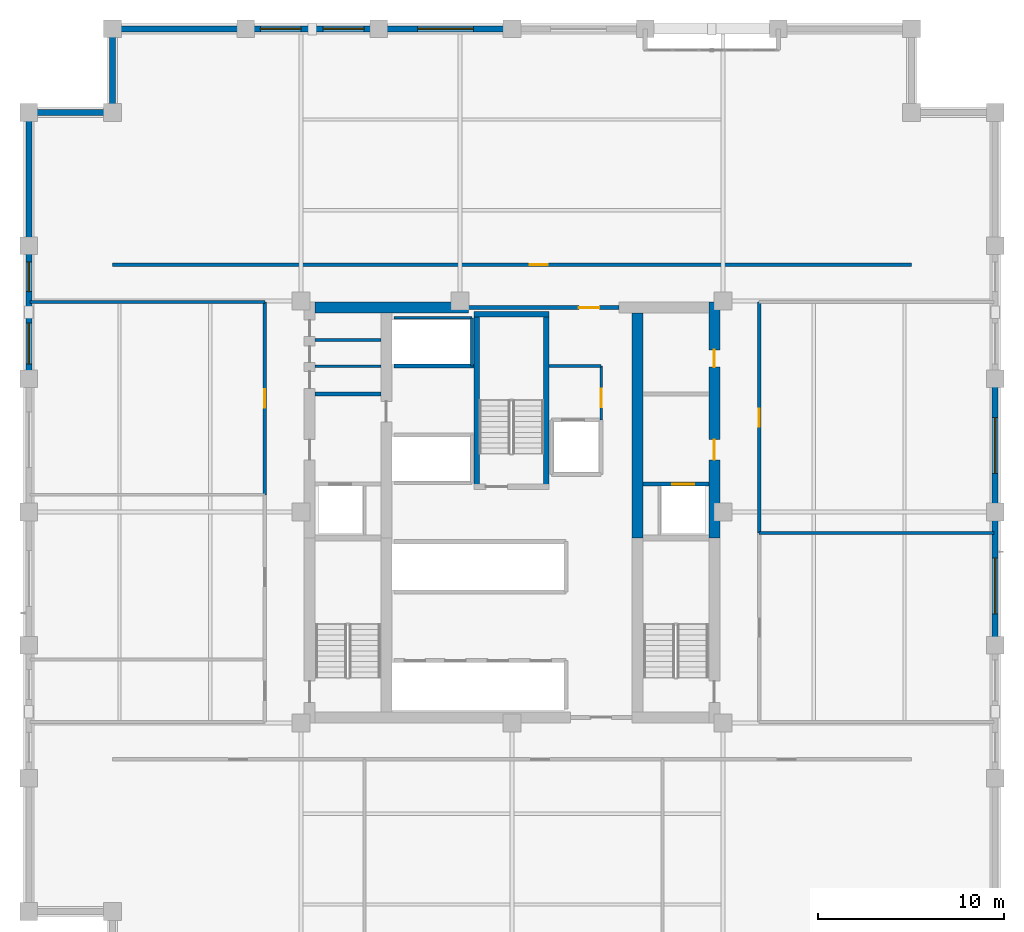
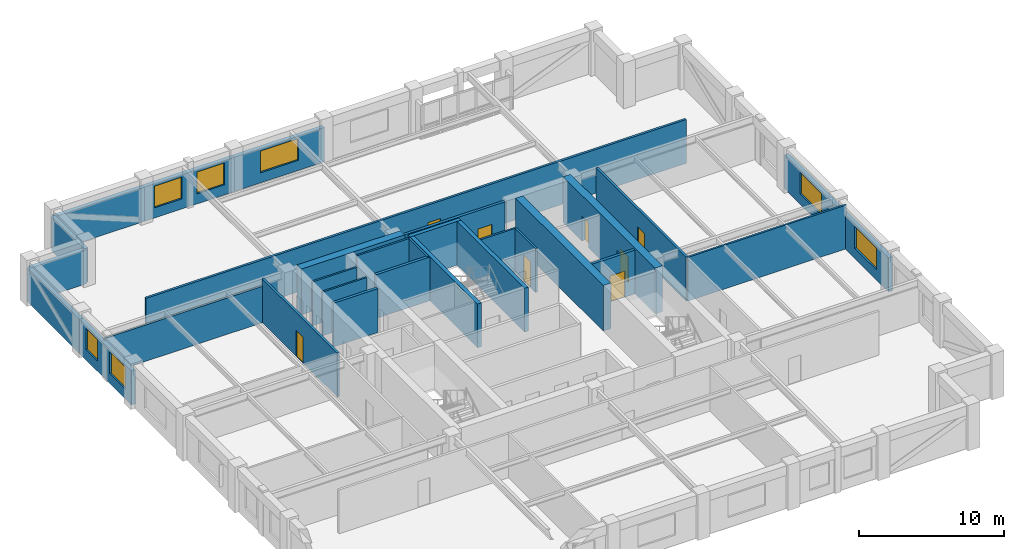
# One storey, part 8 of 11: 30 walls, 8 doors, 7 windows, 15 openings.
"""IFC4 building model written with IfcOpenShell, lengths in metres."""

from ifc_helpers import new_model, si_unit, direction, frame, frame_2d, origin, place, context, subcontext, project, spatial, rectangle, extrude, material, layer, layer_set, type_object, element, fill, save


model = new_model("IFC4")

# Units and contexts
model_context = context("Model", 3, precision=1e-05, world=origin(), true_north=direction((0.0, 1.0)))
body_context = subcontext(model_context, "Body", "Model", "MODEL_VIEW")
ifc_project = project(units=[si_unit("LENGTHUNIT", "METRE"), si_unit("AREAUNIT", "SQUARE_METRE"), si_unit("VOLUMEUNIT", "CUBIC_METRE"), si_unit("PLANEANGLEUNIT", "RADIAN"), si_unit("MASSUNIT", "GRAM", prefix="KILO")], contexts=[model_context])

# Site, building, storey
site_placement = place(None, origin())
site = spatial("IfcSite", under=ifc_project, at=site_placement, CompositionType="ELEMENT")
building_placement = place(site_placement, origin())
building = spatial("IfcBuilding", under=site, at=building_placement, Name="Nhamokura Convention Tower", CompositionType="ELEMENT")
storey_placement = place(building_placement, frame((0.0, 0.0, 141.39990234375)))
storey = spatial("IfcBuildingStorey", under=building, at=storey_placement, Name="L34", CompositionType="ELEMENT", Elevation=141.39990234375)

# Walls
ifc_material_1 = material(Name="Moisture-resistant tile-backer partition", Category="masonry")
ifc_layer_1 = layer(ifc_material_1, 0.139892578125)
ifc_layer_set_1 = layer_set([ifc_layer_1], Name="BathroomWetWall_140")
wall_type_1 = type_object("IfcWallType", Name="BathroomWetWall_140", PredefinedType="STANDARD", material=ifc_layer_set_1)
wall_1_placement = place(storey_placement, frame((21.409912109375, 39.85009765625, 0.0), z_axis=(0.0, 0.0, 1.0), x_axis=(1.0, 0.0, 0.0)))
element("IfcWall", 1, at=wall_1_placement, inside=storey, type_object=wall_type_1, Name="L34 Wall INT-L34-CWNW1", PredefinedType="STANDARD", context=body_context, shape_type="SweptSolid", body=[
    extrude(rectangle(XDim=3.530029296875, YDim=0.139892578125, at=frame_2d((1.76513671875, 0.0))), origin(), (0.0, 0.0, 1.0), 3.68505859375),
])
ifc_material_2 = material(Name="Bronze-pigmented precast concrete C45/55", Category="concrete")
ifc_layer_2 = layer(ifc_material_2, 0.320068359375)
ifc_layer_set_2 = layer_set([ifc_layer_2], Name="BronzePrecastSpandrel_320")
wall_type_2 = type_object("IfcWallType", Name="BronzePrecastSpandrel_320", PredefinedType="USERDEFINED", material=ifc_layer_set_2)
wall_2_placement = place(storey_placement, frame((10.5, 58.0, 0.0), z_axis=(0.0, 0.0, 1.0), x_axis=(1.0, 0.0, 0.0)))
element("IfcWall", 2, at=wall_2_placement, inside=storey, type_object=wall_type_2, Name="L34 Braced-Bay Precast Wall NORTH 0", ObjectType="SPANDREL_WALL", PredefinedType="USERDEFINED", context=body_context, shape_type="SweptSolid", body=[
    extrude(rectangle(XDim=7.166748046875, YDim=0.320068359375, at=frame_2d((3.58349609375, 0.0))), origin(), (0.0, 0.0, 1.0), 2.885009765625),
])

# Wall, openings, windows
wall_3_placement = place(storey_placement, frame((17.666748046875, 58.0, 0.0), z_axis=(0.0, 0.0, 1.0), x_axis=(1.0, 0.0, 0.0)))
wall_3 = element("IfcWall", 3, at=wall_3_placement, inside=storey, type_object=wall_type_2, Name="L34 Masonry-Frame Wall NORTH 1", ObjectType="SPANDREL_WALL", PredefinedType="USERDEFINED", context=body_context, shape_type="SweptSolid", body=[
    extrude(rectangle(XDim=7.16650390625, YDim=0.320068359375, at=frame_2d((3.583251953125, 0.0))), origin(), (0.0, 0.0, 1.0), 2.885009765625),
])
opening_1_placement = place(wall_3_placement, frame((0.791748046875, 0.0, 0.85009765625)))
opening_1 = element("IfcOpeningElement", 4, at=opening_1_placement, cuts=wall_3, Name="Opening W-06", PredefinedType="OPENING", context=body_context, shape_type="SweptSolid", body=[
    extrude(rectangle(XDim=2.199951171875, YDim=1.8349609375, at=frame_2d((1.10009765625, 0.91748046875))), frame((0.0, 0.169921875, 0.0), z_axis=(0.0, -1.0, 0.0), x_axis=(1.0, 0.0, 0.0)), (0.0, 0.0, 1.0), 0.340087890625),
])
opening_2_placement = place(wall_3_placement, frame((4.175048828125, 0.0, 0.85009765625)))
opening_2 = element("IfcOpeningElement", 5, at=opening_2_placement, cuts=wall_3, Name="Opening W-06", PredefinedType="OPENING", context=body_context, shape_type="SweptSolid", body=[
    extrude(rectangle(XDim=2.199951171875, YDim=1.8349609375, at=frame_2d((1.10009765625, 0.91748046875))), frame((0.0, 0.169921875, 0.0), z_axis=(0.0, -1.0, 0.0), x_axis=(1.0, 0.0, 0.0)), (0.0, 0.0, 1.0), 0.340087890625),
])
ifc_material_3 = material(Name="Solar-control bronze low-E double glass", Category="glass")
window_type_1 = type_object("IfcWindowType", Name="OfficeModuleWindow_Z2_2200", PartitioningType="SINGLE_PANEL", PredefinedType="WINDOW", material=ifc_material_3)
window_1_placement = place(opening_1_placement, origin())
window_1 = element("IfcWindow", 6, at=window_1_placement, inside=storey, type_object=window_type_1, Name="L34 Facade Window NORTH 1-1", OverallHeight=1.8349609375, OverallWidth=2.199951171875, PartitioningType="SINGLE_PANEL", PredefinedType="WINDOW", context=body_context, shape_type="SweptSolid", body=[
    extrude(rectangle(XDim=2.199951171875, YDim=1.8349609375, at=frame_2d((1.10009765625, 0.91748046875))), frame((0.0, 0.030029296875, 0.0), z_axis=(0.0, -1.0, 0.0), x_axis=(1.0, 0.0, 0.0)), (0.0, 0.0, 1.0), 0.06005859375),
])
fill(opening_1, window_1)
window_2_placement = place(opening_2_placement, origin())
window_2 = element("IfcWindow", 7, at=window_2_placement, inside=storey, type_object=window_type_1, Name="L34 Facade Window NORTH 1-2", OverallHeight=1.8349609375, OverallWidth=2.199951171875, PartitioningType="SINGLE_PANEL", PredefinedType="WINDOW", context=body_context, shape_type="SweptSolid", body=[
    extrude(rectangle(XDim=2.199951171875, YDim=1.8349609375, at=frame_2d((1.10009765625, 0.91748046875))), frame((0.0, 0.030029296875, 0.0), z_axis=(0.0, -1.0, 0.0), x_axis=(1.0, 0.0, 0.0)), (0.0, 0.0, 1.0), 0.06005859375),
])
fill(opening_2, window_2)

# Wall, opening, window
wall_4_placement = place(storey_placement, frame((24.833251953125, 58.0, 0.0), z_axis=(0.0, 0.0, 1.0), x_axis=(1.0, 0.0, 0.0)))
wall_4 = element("IfcWall", 8, at=wall_4_placement, inside=storey, type_object=wall_type_2, Name="L34 Masonry-Frame Wall NORTH 2", ObjectType="SPANDREL_WALL", PredefinedType="USERDEFINED", context=body_context, shape_type="SweptSolid", body=[
    extrude(rectangle(XDim=7.166748046875, YDim=0.320068359375, at=frame_2d((3.58349609375, 0.0))), origin(), (0.0, 0.0, 1.0), 2.885009765625),
])
opening_3_placement = place(wall_4_placement, frame((2.083251953125, 0.0, 0.85009765625)))
opening_3 = element("IfcOpeningElement", 9, at=opening_3_placement, cuts=wall_4, Name="Opening W-05", PredefinedType="OPENING", context=body_context, shape_type="SweptSolid", body=[
    extrude(rectangle(XDim=3.0, YDim=1.8349609375, at=frame_2d((1.5, 0.91748046875))), frame((0.0, 0.169921875, 0.0), z_axis=(0.0, -1.0, 0.0), x_axis=(1.0, 0.0, 0.0)), (0.0, 0.0, 1.0), 0.340087890625),
])
ifc_material_4 = material(Name="Solar-control bronze low-E double glass", Category="glass")
window_type_2 = type_object("IfcWindowType", Name="OfficeModuleWindow_Z2_3000", PartitioningType="DOUBLE_PANEL_VERTICAL", PredefinedType="WINDOW", material=ifc_material_4)
window_3_placement = place(opening_3_placement, origin())
window_3 = element("IfcWindow", 10, at=window_3_placement, inside=storey, type_object=window_type_2, Name="L34 Facade Window NORTH 2", OverallHeight=1.8349609375, OverallWidth=3.0, PartitioningType="SINGLE_PANEL", PredefinedType="WINDOW", context=body_context, shape_type="SweptSolid", body=[
    extrude(rectangle(XDim=3.0, YDim=1.8349609375, at=frame_2d((1.5, 0.91748046875))), frame((0.0, 0.030029296875, 0.0), z_axis=(0.0, -1.0, 0.0), x_axis=(1.0, 0.0, 0.0)), (0.0, 0.0, 1.0), 0.06005859375),
])
fill(opening_3, window_3)

# Wall, openings, windows
wall_5_placement = place(storey_placement, frame((6.0, 39.166748046875, 0.0), z_axis=(0.0, 0.0, 1.0), x_axis=(0.0, 1.0, 0.0)))
wall_5 = element("IfcWall", 11, at=wall_5_placement, inside=storey, type_object=wall_type_2, Name="L34 Masonry-Frame Wall WEST 4", ObjectType="SPANDREL_WALL", PredefinedType="USERDEFINED", context=body_context, shape_type="SweptSolid", body=[
    extrude(rectangle(XDim=7.16650390625, YDim=0.320068359375, at=frame_2d((3.583251953125, 0.0))), origin(), (0.0, 0.0, 1.0), 2.885009765625),
])
opening_4_placement = place(wall_5_placement, frame((0.791748046875, 0.0, 0.85009765625)))
opening_4 = element("IfcOpeningElement", 12, at=opening_4_placement, cuts=wall_5, Name="Opening W-06", PredefinedType="OPENING", context=body_context, shape_type="SweptSolid", body=[
    extrude(rectangle(XDim=2.199951171875, YDim=1.8349609375, at=frame_2d((1.10009765625, 0.91748046875))), frame((0.0, 0.169921875, 0.0), z_axis=(0.0, -1.0, 0.0), x_axis=(1.0, 0.0, 0.0)), (0.0, 0.0, 1.0), 0.340087890625),
])
opening_5_placement = place(wall_5_placement, frame((4.6875, 0.0, 0.85009765625)))
opening_5 = element("IfcOpeningElement", 13, at=opening_5_placement, cuts=wall_5, Name="Opening W-11", PredefinedType="OPENING", context=body_context, shape_type="SweptSolid", body=[
    extrude(rectangle(XDim=1.60009765625, YDim=1.8349609375, at=frame_2d((0.800048828125, 0.91748046875))), frame((0.0, 0.169921875, 0.0), z_axis=(0.0, -1.0, 0.0), x_axis=(1.0, 0.0, 0.0)), (0.0, 0.0, 1.0), 0.340087890625),
])
ifc_material_5 = material(Name="Solar-control bronze low-E double glass", Category="glass")
window_type_3 = type_object("IfcWindowType", Name="NotchCornerWindow_1600", PartitioningType="SINGLE_PANEL", PredefinedType="WINDOW", material=ifc_material_5)
window_4_placement = place(opening_5_placement, origin())
window_4 = element("IfcWindow", 14, at=window_4_placement, inside=storey, type_object=window_type_3, Name="L34 Facade Window WEST 4-2", OverallHeight=1.8349609375, OverallWidth=1.60009765625, PartitioningType="SINGLE_PANEL", PredefinedType="WINDOW", context=body_context, shape_type="SweptSolid", body=[
    extrude(rectangle(XDim=1.60009765625, YDim=1.8349609375, at=frame_2d((0.800048828125, 0.91748046875))), frame((0.0, 0.030029296875, 0.0), z_axis=(0.0, -1.0, 0.0), x_axis=(1.0, 0.0, 0.0)), (0.0, 0.0, 1.0), 0.06005859375),
])
fill(opening_5, window_4)
window_5_placement = place(opening_4_placement, origin())
window_5 = element("IfcWindow", 15, at=window_5_placement, inside=storey, type_object=window_type_1, Name="L34 Facade Window WEST 4-1", OverallHeight=1.8349609375, OverallWidth=2.199951171875, PartitioningType="SINGLE_PANEL", PredefinedType="WINDOW", context=body_context, shape_type="SweptSolid", body=[
    extrude(rectangle(XDim=2.199951171875, YDim=1.8349609375, at=frame_2d((1.10009765625, 0.91748046875))), frame((0.0, 0.030029296875, 0.0), z_axis=(0.0, -1.0, 0.0), x_axis=(1.0, 0.0, 0.0)), (0.0, 0.0, 1.0), 0.06005859375),
])
fill(opening_4, window_5)

# Wall
wall_6_placement = place(storey_placement, frame((6.0, 46.333251953125, 0.0), z_axis=(0.0, 0.0, 1.0), x_axis=(0.0, 1.0, 0.0)))
element("IfcWall", 16, at=wall_6_placement, inside=storey, type_object=wall_type_2, Name="L34 Braced-Bay Precast Wall WEST 5", ObjectType="SPANDREL_WALL", PredefinedType="USERDEFINED", context=body_context, shape_type="SweptSolid", body=[
    extrude(rectangle(XDim=7.166748046875, YDim=0.320068359375, at=frame_2d((3.58349609375, 0.0))), origin(), (0.0, 0.0, 1.0), 2.885009765625),
])

# Wall, opening, window
wall_7_placement = place(storey_placement, frame((58.0, 32.0, 0.0), z_axis=(0.0, 0.0, 1.0), x_axis=(0.0, -1.0, 0.0)))
wall_7 = element("IfcWall", 17, at=wall_7_placement, inside=storey, type_object=wall_type_2, Name="L34 Masonry-Frame Wall EAST 2", ObjectType="SPANDREL_WALL", PredefinedType="USERDEFINED", context=body_context, shape_type="SweptSolid", body=[
    extrude(rectangle(XDim=7.166748046875, YDim=0.320068359375, at=frame_2d((3.58349609375, 0.0))), origin(), (0.0, 0.0, 1.0), 2.885009765625),
])
opening_6_placement = place(wall_7_placement, frame((2.4833984375, 0.0, 0.85009765625)))
opening_6 = element("IfcOpeningElement", 18, at=opening_6_placement, cuts=wall_7, Name="Opening W-05", PredefinedType="OPENING", context=body_context, shape_type="SweptSolid", body=[
    extrude(rectangle(XDim=3.0, YDim=1.8349609375, at=frame_2d((1.5, 0.91748046875))), frame((0.0, 0.169921875, 0.0), z_axis=(0.0, -1.0, 0.0), x_axis=(1.0, 0.0, 0.0)), (0.0, 0.0, 1.0), 0.340087890625),
])
window_6_placement = place(opening_6_placement, origin())
window_6 = element("IfcWindow", 19, at=window_6_placement, inside=storey, type_object=window_type_2, Name="L34 Facade Window EAST 2-2", OverallHeight=1.8349609375, OverallWidth=3.0, PartitioningType="SINGLE_PANEL", PredefinedType="WINDOW", context=body_context, shape_type="SweptSolid", body=[
    extrude(rectangle(XDim=3.0, YDim=1.8349609375, at=frame_2d((1.5, 0.91748046875))), frame((0.0, 0.030029296875, 0.0), z_axis=(0.0, -1.0, 0.0), x_axis=(1.0, 0.0, 0.0)), (0.0, 0.0, 1.0), 0.06005859375),
])
fill(opening_6, window_6)

wall_8_placement = place(storey_placement, frame((58.0, 39.166748046875, 0.0), z_axis=(0.0, 0.0, 1.0), x_axis=(0.0, -1.0, 0.0)))
wall_8 = element("IfcWall", 20, at=wall_8_placement, inside=storey, type_object=wall_type_2, Name="L34 Masonry-Frame Wall EAST 3", ObjectType="SPANDREL_WALL", PredefinedType="USERDEFINED", context=body_context, shape_type="SweptSolid", body=[
    extrude(rectangle(XDim=7.166748046875, YDim=0.320068359375, at=frame_2d((3.58349609375, 0.0))), origin(), (0.0, 0.0, 1.0), 2.885009765625),
])
opening_7_placement = place(wall_8_placement, frame((2.083251953125, 0.0, 0.85009765625)))
opening_7 = element("IfcOpeningElement", 21, at=opening_7_placement, cuts=wall_8, Name="Opening W-05", PredefinedType="OPENING", context=body_context, shape_type="SweptSolid", body=[
    extrude(rectangle(XDim=3.0, YDim=1.8349609375, at=frame_2d((1.5, 0.91748046875))), frame((0.0, 0.169921875, 0.0), z_axis=(0.0, -1.0, 0.0), x_axis=(1.0, 0.0, 0.0)), (0.0, 0.0, 1.0), 0.340087890625),
])
window_7_placement = place(opening_7_placement, origin())
window_7 = element("IfcWindow", 22, at=window_7_placement, inside=storey, type_object=window_type_2, Name="L34 Facade Window EAST 3", OverallHeight=1.8349609375, OverallWidth=3.0, PartitioningType="SINGLE_PANEL", PredefinedType="WINDOW", context=body_context, shape_type="SweptSolid", body=[
    extrude(rectangle(XDim=3.0, YDim=1.8349609375, at=frame_2d((1.5, 0.91748046875))), frame((0.0, 0.030029296875, 0.0), z_axis=(0.0, -1.0, 0.0), x_axis=(1.0, 0.0, 0.0)), (0.0, 0.0, 1.0), 0.06005859375),
])
fill(opening_7, window_7)

# Walls
for number, where, z_axis, x_axis, name in (
    (23, (10.5, 53.5, 0.0), (0.0, 0.0, 1.0), (0.0, 1.0, 0.0), "L34 Notched Corner Wall NW1"),
    (24, (6.0, 53.5, 0.0), (0.0, 0.0, 1.0), (1.0, 0.0, 0.0), "L34 Notched Corner Wall NW2"),
):
    element("IfcWall", number, at=place(storey_placement, frame(where, z_axis=z_axis, x_axis=x_axis)), inside=storey, type_object=wall_type_2, Name=name, ObjectType="SPANDREL_WALL", PredefinedType="USERDEFINED", context=body_context, shape_type="SweptSolid", body=[
        extrude(rectangle(XDim=4.5, YDim=0.320068359375, at=frame_2d((2.25, 0.0))), origin(), (0.0, 0.0, 1.0), 2.885009765625),
    ])

# Wall, openings, doors
ifc_material_6 = material(Name="Concrete C60/75", Category="concrete")
ifc_layer_3 = layer(ifc_material_6, 0.60009765625)
ifc_layer_set_3 = layer_set([ifc_layer_3], Name="CoreShearWall_600")
wall_type_3 = type_object("IfcWallType", Name="CoreShearWall_600", PredefinedType="SHEAR", material=ifc_layer_set_3)
wall_9_placement = place(storey_placement, frame((42.889892578125, 30.60009765625, 0.0), z_axis=(0.0, 0.0, 1.0), x_axis=(0.0, 1.0, 0.0)))
wall_9 = element("IfcWall", 25, at=wall_9_placement, inside=storey, type_object=wall_type_3, Name="L34 Core Shear Wall CW-EN", PredefinedType="SHEAR", context=body_context, shape_type="SweptSolid", body=[
    extrude(rectangle(XDim=12.699951171875, YDim=0.60009765625, at=frame_2d((6.35009765625, 0.0))), origin(), (0.0, 0.0, 1.0), 3.85009765625),
])
opening_8_placement = place(wall_9_placement, frame((4.199951171875, 0.0, 0.0)))
opening_8 = element("IfcOpeningElement", 26, at=opening_8_placement, cuts=wall_9, Name="Opening D-05", PredefinedType="OPENING", context=body_context, shape_type="SweptSolid", body=[
    extrude(rectangle(XDim=1.10009765625, YDim=2.14990234375, at=frame_2d((0.550048828125, 1.074951171875))), frame((0.0, 0.31005859375, 0.0), z_axis=(0.0, -1.0, 0.0), x_axis=(1.0, 0.0, 0.0)), (0.0, 0.0, 1.0), 0.6201171875),
])
opening_9_placement = place(wall_9_placement, frame((9.199951171875, 0.0, 0.0)))
opening_9 = element("IfcOpeningElement", 27, at=opening_9_placement, cuts=wall_9, Name="Opening D-10", PredefinedType="OPENING", context=body_context, shape_type="SweptSolid", body=[
    extrude(rectangle(XDim=0.919921875, YDim=2.10009765625, at=frame_2d((0.4599609375, 1.050048828125))), frame((0.0, 0.31005859375, 0.0), z_axis=(0.0, -1.0, 0.0), x_axis=(1.0, 0.0, 0.0)), (0.0, 0.0, 1.0), 0.6201171875),
])
ifc_material_7 = material(Name="Solid oak hardwood", Category="wood")
door_type_1 = type_object("IfcDoorType", Name="AccessibleWCDoor_920", OperationType="NOTDEFINED", PredefinedType="DOOR", material=ifc_material_7)
door_1_placement = place(opening_9_placement, origin())
door_1 = element("IfcDoor", 28, at=door_1_placement, inside=storey, type_object=door_type_1, Name="L34 Core Door INT-L34-D-UWC", OperationType="SINGLE_SWING_RIGHT", OverallHeight=2.10009765625, OverallWidth=0.919921875, PredefinedType="DOOR", context=body_context, shape_type="SweptSolid", body=[
    extrude(rectangle(XDim=0.919921875, YDim=2.10009765625, at=frame_2d((0.4599609375, 1.050048828125))), frame((0.0, 0.02490234375, 0.0), z_axis=(0.0, -1.0, 0.0), x_axis=(1.0, 0.0, 0.0)), (0.0, 0.0, 1.0), 0.050048828125),
])
fill(opening_9, door_1)
ifc_material_8 = material(Name="Fire-rated steel door", Category="steel")
door_type_2 = type_object("IfcDoorType", Name="FireLobbyDoor_1100", OperationType="NOTDEFINED", PredefinedType="DOOR", material=ifc_material_8)
door_2_placement = place(opening_8_placement, origin())
door_2 = element("IfcDoor", 29, at=door_2_placement, inside=storey, type_object=door_type_2, Name="L34 Core Door INT-L34-D-FFLE", OperationType="SINGLE_SWING_LEFT", OverallHeight=2.14990234375, OverallWidth=1.10009765625, PredefinedType="DOOR", context=body_context, shape_type="SweptSolid", body=[
    extrude(rectangle(XDim=1.10009765625, YDim=2.14990234375, at=frame_2d((0.550048828125, 1.074951171875))), frame((0.0, 0.02490234375, 0.0), z_axis=(0.0, -1.0, 0.0), x_axis=(1.0, 0.0, 0.0)), (0.0, 0.0, 1.0), 0.050048828125),
])
fill(opening_8, door_2)

# Walls
wall_10_placement = place(storey_placement, frame((21.409912109375, 43.0, 0.0), z_axis=(0.0, 0.0, 1.0), x_axis=(1.0, 0.0, 0.0)))
element("IfcWall", 30, at=wall_10_placement, inside=storey, type_object=wall_type_3, Name="L34 Core Shear Wall CW-N1", PredefinedType="SHEAR", context=body_context, shape_type="SweptSolid", body=[
    extrude(rectangle(XDim=8.239990234375, YDim=0.60009765625, at=frame_2d((4.1201171875, 0.0))), origin(), (0.0, 0.0, 1.0), 3.85009765625),
])
wall_11_placement = place(storey_placement, frame((38.760009765625, 30.60009765625, 0.0), z_axis=(0.0, 0.0, 1.0), x_axis=(0.0, 1.0, 0.0)))
element("IfcWall", 31, at=wall_11_placement, inside=storey, type_object=wall_type_3, Name="L34 Core Shear Wall CW-IEN", PredefinedType="SHEAR", context=body_context, shape_type="SweptSolid", body=[
    extrude(rectangle(XDim=12.099853515625, YDim=0.60009765625, at=frame_2d((6.0498046875, 0.0))), origin(), (0.0, 0.0, 1.0), 3.85009765625),
])

# Wall, opening, door
ifc_material_9 = material(Name="Fire-rated gypsum and masonry partition", Category="masonry")
ifc_layer_4 = layer(ifc_material_9, 0.179931640625)
ifc_layer_set_4 = layer_set([ifc_layer_4], Name="CorridorRatedWall_180")
wall_type_4 = type_object("IfcWallType", Name="CorridorRatedWall_180", PredefinedType="STANDARD", material=ifc_layer_set_4)
wall_12_placement = place(storey_placement, frame((10.5, 45.300048828125, 0.0), z_axis=(0.0, 0.0, 1.0), x_axis=(1.0, 0.0, 0.0)))
wall_12 = element("IfcWall", 32, at=wall_12_placement, inside=storey, type_object=wall_type_4, Name="L34 Wall INT-L34-CW-N00", PredefinedType="STANDARD", context=body_context, shape_type="SweptSolid", body=[
    extrude(rectangle(XDim=43.0, YDim=0.179931640625, at=frame_2d((21.5, 0.0))), origin(), (0.0, 0.0, 1.0), 3.68505859375),
])
opening_10_placement = place(wall_12_placement, frame((22.449951171875, 0.0, 0.0)))
opening_10 = element("IfcOpeningElement", 33, at=opening_10_placement, cuts=wall_12, Name="Opening D-08", PredefinedType="OPENING", context=body_context, shape_type="SweptSolid", body=[
    extrude(rectangle(XDim=0.97998046875, YDim=2.199951171875, at=frame_2d((0.489990234375, 1.10009765625))), frame((0.0, 0.099853515625, 0.0), z_axis=(0.0, -1.0, 0.0), x_axis=(1.0, 0.0, 0.0)), (0.0, 0.0, 1.0), 0.199951171875),
])
ifc_material_10 = material(Name="Solid oak hardwood", Category="wood")
door_type_3 = type_object("IfcDoorType", Name="OfficeEntryDoor_980", OperationType="NOTDEFINED", PredefinedType="DOOR", material=ifc_material_10)
door_3_placement = place(opening_10_placement, origin())
door_3 = element("IfcDoor", 34, at=door_3_placement, inside=storey, type_object=door_type_3, Name="L34 Lecture Hall N01 Door", OperationType="SINGLE_SWING_LEFT", OverallHeight=2.199951171875, OverallWidth=0.97998046875, PredefinedType="DOOR", context=body_context, shape_type="SweptSolid", body=[
    extrude(rectangle(XDim=0.97998046875, YDim=2.199951171875, at=frame_2d((0.489990234375, 1.10009765625))), frame((0.0, 0.02490234375, 0.0), z_axis=(0.0, -1.0, 0.0), x_axis=(1.0, 0.0, 0.0)), (0.0, 0.0, 1.0), 0.050048828125),
])
fill(opening_10, door_3)

wall_13_placement = place(storey_placement, frame((18.699951171875, 32.925048828125, 0.0), z_axis=(0.0, 0.0, 1.0), x_axis=(0.0, 1.0, 0.0)))
wall_13 = element("IfcWall", 35, at=wall_13_placement, inside=storey, type_object=wall_type_4, Name="L34 Wall INT-L34-CW-W02", PredefinedType="STANDARD", context=body_context, shape_type="SweptSolid", body=[
    extrude(rectangle(XDim=10.375, YDim=0.179931640625, at=frame_2d((5.1875, 0.0))), origin(), (0.0, 0.0, 1.0), 3.68505859375),
])
opening_11_placement = place(wall_13_placement, frame((4.6875, 0.0, 0.0)))
opening_11 = element("IfcOpeningElement", 36, at=opening_11_placement, cuts=wall_13, Name="Opening D-08", PredefinedType="OPENING", context=body_context, shape_type="SweptSolid", body=[
    extrude(rectangle(XDim=0.97998046875, YDim=2.199951171875, at=frame_2d((0.489990234375, 1.10009765625))), frame((0.0, 0.099853515625, 0.0), z_axis=(0.0, -1.0, 0.0), x_axis=(1.0, 0.0, 0.0)), (0.0, 0.0, 1.0), 0.199951171875),
])
door_4_placement = place(opening_11_placement, origin())
door_4 = element("IfcDoor", 37, at=door_4_placement, inside=storey, type_object=door_type_3, Name="L34 Private Office W03 Door", OperationType="SINGLE_SWING_LEFT", OverallHeight=2.199951171875, OverallWidth=0.97998046875, PredefinedType="DOOR", context=body_context, shape_type="SweptSolid", body=[
    extrude(rectangle(XDim=0.97998046875, YDim=2.199951171875, at=frame_2d((0.489990234375, 1.10009765625))), frame((0.0, 0.02490234375, 0.0), z_axis=(0.0, -1.0, 0.0), x_axis=(1.0, 0.0, 0.0)), (0.0, 0.0, 1.0), 0.050048828125),
])
fill(opening_11, door_4)

wall_14_placement = place(storey_placement, frame((45.300048828125, 30.875, 0.0), z_axis=(0.0, 0.0, 1.0), x_axis=(0.0, 1.0, 0.0)))
wall_14 = element("IfcWall", 38, at=wall_14_placement, inside=storey, type_object=wall_type_4, Name="L34 Wall INT-L34-CW-E01", PredefinedType="STANDARD", context=body_context, shape_type="SweptSolid", body=[
    extrude(rectangle(XDim=12.425048828125, YDim=0.179931640625, at=frame_2d((6.21240234375, 0.0))), origin(), (0.0, 0.0, 1.0), 3.68505859375),
])
opening_12_placement = place(wall_14_placement, frame((5.71240234375, 0.0, 0.0)))
opening_12 = element("IfcOpeningElement", 39, at=opening_12_placement, cuts=wall_14, Name="Opening D-08", PredefinedType="OPENING", context=body_context, shape_type="SweptSolid", body=[
    extrude(rectangle(XDim=0.97998046875, YDim=2.199951171875, at=frame_2d((0.489990234375, 1.10009765625))), frame((0.0, 0.099853515625, 0.0), z_axis=(0.0, -1.0, 0.0), x_axis=(1.0, 0.0, 0.0)), (0.0, 0.0, 1.0), 0.199951171875),
])
door_5_placement = place(opening_12_placement, origin())
door_5 = element("IfcDoor", 40, at=door_5_placement, inside=storey, type_object=door_type_3, Name="L34 Private Office E02 Door", OperationType="SINGLE_SWING_RIGHT", OverallHeight=2.199951171875, OverallWidth=0.97998046875, PredefinedType="DOOR", context=body_context, shape_type="SweptSolid", body=[
    extrude(rectangle(XDim=0.97998046875, YDim=2.199951171875, at=frame_2d((0.489990234375, 1.10009765625))), frame((0.0, 0.02490234375, 0.0), z_axis=(0.0, -1.0, 0.0), x_axis=(1.0, 0.0, 0.0)), (0.0, 0.0, 1.0), 0.050048828125),
])
fill(opening_12, door_5)

ifc_material_11 = material(Name="Autoclaved concrete blockwork", Category="masonry")
ifc_layer_5 = layer(ifc_material_11, 0.219970703125)
ifc_layer_set_5 = layer_set([ifc_layer_5], Name="FireLobbyWall_220")
wall_type_5 = type_object("IfcWallType", Name="FireLobbyWall_220", PredefinedType="STANDARD", material=ifc_layer_set_5)
wall_15_placement = place(storey_placement, frame((39.06005859375, 33.5, 0.0), z_axis=(0.0, 0.0, 1.0), x_axis=(1.0, 0.0, 0.0)))
wall_15 = element("IfcWall", 41, at=wall_15_placement, inside=storey, type_object=wall_type_5, Name="L34 Wall INT-L34-FFE-S", PredefinedType="STANDARD", context=body_context, shape_type="SweptSolid", body=[
    extrude(rectangle(XDim=3.530029296875, YDim=0.219970703125, at=frame_2d((1.76513671875, 0.0))), origin(), (0.0, 0.0, 1.0), 3.68505859375),
])
opening_13_placement = place(wall_15_placement, frame((1.550048828125, 0.0, 0.0)))
opening_13 = element("IfcOpeningElement", 42, at=opening_13_placement, cuts=wall_15, Name="Opening LD-02", PredefinedType="OPENING", context=body_context, shape_type="SweptSolid", body=[
    extrude(rectangle(XDim=1.199951171875, YDim=2.199951171875, at=frame_2d((0.60009765625, 1.10009765625))), frame((0.0, 0.119873046875, 0.0), z_axis=(0.0, -1.0, 0.0), x_axis=(1.0, 0.0, 0.0)), (0.0, 0.0, 1.0), 0.239990234375),
])
ifc_material_12 = material(Name="Anodised bronze stainless steel", Category="steel")
door_type_4 = type_object("IfcDoorType", Name="LiftLandingDoor_FireService", OperationType="DOUBLE_DOOR_SLIDING", PredefinedType="DOOR", material=ifc_material_12)
door_6_placement = place(opening_13_placement, origin())
door_6 = element("IfcDoor", 43, at=door_6_placement, inside=storey, type_object=door_type_4, Name="L34 Firefighting Lift LF-02 Door", OperationType="DOUBLE_DOOR_SLIDING", OverallHeight=2.199951171875, OverallWidth=1.199951171875, PredefinedType="DOOR", context=body_context, shape_type="SweptSolid", body=[
    extrude(rectangle(XDim=1.199951171875, YDim=2.199951171875, at=frame_2d((0.60009765625, 1.10009765625))), frame((0.0, 0.02490234375, 0.0), z_axis=(0.0, -1.0, 0.0), x_axis=(1.0, 0.0, 0.0)), (0.0, 0.0, 1.0), 0.050048828125),
])
fill(opening_13, door_6)

# Walls
wall_16_placement = place(storey_placement, frame((21.409912109375, 38.35009765625, 0.0), z_axis=(0.0, 0.0, 1.0), x_axis=(1.0, 0.0, 0.0)))
element("IfcWall", 44, at=wall_16_placement, inside=storey, type_object=wall_type_5, Name="L34 Wall INT-L34-FFW-N", PredefinedType="STANDARD", context=body_context, shape_type="SweptSolid", body=[
    extrude(rectangle(XDim=3.530029296875, YDim=0.219970703125, at=frame_2d((1.76513671875, 0.0))), origin(), (0.0, 0.0, 1.0), 3.68505859375),
])
wall_17_placement = place(storey_placement, frame((25.64990234375, 39.85009765625, 0.0), z_axis=(0.0, 0.0, 1.0), x_axis=(1.0, 0.0, 0.0)))
element("IfcWall", 45, at=wall_17_placement, inside=storey, type_object=wall_type_5, Name="L34 Wall INT-L34-B3N", PredefinedType="STANDARD", context=body_context, shape_type="SweptSolid", body=[
    extrude(rectangle(XDim=4.300048828125, YDim=0.219970703125, at=frame_2d((2.14990234375, 0.0))), origin(), (0.0, 0.0, 1.0), 3.68505859375),
])

# Wall, opening, door
wall_18_placement = place(storey_placement, frame((29.64990234375, 43.0, 0.0), z_axis=(0.0, 0.0, 1.0), x_axis=(1.0, 0.0, 0.0)))
wall_18 = element("IfcWall", 46, at=wall_18_placement, inside=storey, type_object=wall_type_5, Name="L34 Wall INT-L34-CPORT-N", PredefinedType="STANDARD", context=body_context, shape_type="SweptSolid", body=[
    extrude(rectangle(XDim=8.10009765625, YDim=0.219970703125, at=frame_2d((4.050048828125, 0.0))), origin(), (0.0, 0.0, 1.0), 3.68505859375),
])
opening_14_placement = place(wall_18_placement, frame((5.949951171875, 0.0, 0.0)))
opening_14 = element("IfcOpeningElement", 47, at=opening_14_placement, cuts=wall_18, Name="Opening D-05", PredefinedType="OPENING", context=body_context, shape_type="SweptSolid", body=[
    extrude(rectangle(XDim=1.10009765625, YDim=2.14990234375, at=frame_2d((0.550048828125, 1.074951171875))), frame((0.0, 0.119873046875, 0.0), z_axis=(0.0, -1.0, 0.0), x_axis=(1.0, 0.0, 0.0)), (0.0, 0.0, 1.0), 0.239990234375),
])
door_7_placement = place(opening_14_placement, origin())
door_7 = element("IfcDoor", 48, at=door_7_placement, inside=storey, type_object=door_type_2, Name="L34 North Core Lobby Portal Door", OperationType="SINGLE_SWING_RIGHT", OverallHeight=2.14990234375, OverallWidth=1.10009765625, PredefinedType="DOOR", context=body_context, shape_type="SweptSolid", body=[
    extrude(rectangle(XDim=1.10009765625, YDim=2.14990234375, at=frame_2d((0.550048828125, 1.074951171875))), frame((0.0, 0.02490234375, 0.0), z_axis=(0.0, -1.0, 0.0), x_axis=(1.0, 0.0, 0.0)), (0.0, 0.0, 1.0), 0.050048828125),
])
fill(opening_14, door_7)

# Walls
ifc_material_13 = material(Name="Acoustic gypsum stud partition", Category="masonry")
ifc_layer_6 = layer(ifc_material_13, 0.14990234375)
ifc_layer_set_6 = layer_set([ifc_layer_6], Name="InteriorPartition_150")
wall_type_6 = type_object("IfcWallType", Name="InteriorPartition_150", PredefinedType="STANDARD", material=ifc_layer_set_6)
wall_19_placement = place(storey_placement, frame((21.409912109375, 41.25, 0.0), z_axis=(0.0, 0.0, 1.0), x_axis=(1.0, 0.0, 0.0)))
element("IfcWall", 49, at=wall_19_placement, inside=storey, type_object=wall_type_6, Name="L34 Wall INT-L34-CWNW2", PredefinedType="STANDARD", context=body_context, shape_type="SweptSolid", body=[
    extrude(rectangle(XDim=3.530029296875, YDim=0.14990234375, at=frame_2d((1.76513671875, 0.0))), origin(), (0.0, 0.0, 1.0), 3.68505859375),
])
wall_20_placement = place(storey_placement, frame((34.0, 39.85009765625, 0.0), z_axis=(0.0, 0.0, 1.0), x_axis=(1.0, 0.0, 0.0)))
element("IfcWall", 50, at=wall_20_placement, inside=storey, type_object=wall_type_6, Name="L34 Wall INT-L34-NE-TELN", PredefinedType="STANDARD", context=body_context, shape_type="SweptSolid", body=[
    extrude(rectangle(XDim=2.800048828125, YDim=0.14990234375, at=frame_2d((1.39990234375, 0.0))), origin(), (0.0, 0.0, 1.0), 3.68505859375),
])

# Wall, opening, door
wall_21_placement = place(storey_placement, frame((36.800048828125, 36.949951171875, 0.0), z_axis=(0.0, 0.0, 1.0), x_axis=(0.0, 1.0, 0.0)))
wall_21 = element("IfcWall", 51, at=wall_21_placement, inside=storey, type_object=wall_type_6, Name="L34 Wall INT-L34-NE-TELE", PredefinedType="STANDARD", context=body_context, shape_type="SweptSolid", body=[
    extrude(rectangle(XDim=2.900146484375, YDim=0.14990234375, at=frame_2d((1.4501953125, 0.0))), origin(), (0.0, 0.0, 1.0), 3.68505859375),
])
opening_15_placement = place(wall_21_placement, frame((0.699951171875, 0.0, 0.0)))
opening_15 = element("IfcOpeningElement", 52, at=opening_15_placement, cuts=wall_21, Name="Opening D-08", PredefinedType="OPENING", context=body_context, shape_type="SweptSolid", body=[
    extrude(rectangle(XDim=0.97998046875, YDim=2.199951171875, at=frame_2d((0.489990234375, 1.10009765625))), frame((0.0, 0.0849609375, 0.0), z_axis=(0.0, -1.0, 0.0), x_axis=(1.0, 0.0, 0.0)), (0.0, 0.0, 1.0), 0.169921875),
])
door_8_placement = place(opening_15_placement, origin())
door_8 = element("IfcDoor", 53, at=door_8_placement, inside=storey, type_object=door_type_3, Name="L34 Core Telecom Door", OperationType="SINGLE_SWING_LEFT", OverallHeight=2.199951171875, OverallWidth=0.97998046875, PredefinedType="DOOR", context=body_context, shape_type="SweptSolid", body=[
    extrude(rectangle(XDim=0.97998046875, YDim=2.199951171875, at=frame_2d((0.489990234375, 1.10009765625))), frame((0.0, 0.02490234375, 0.0), z_axis=(0.0, -1.0, 0.0), x_axis=(1.0, 0.0, 0.0)), (0.0, 0.0, 1.0), 0.050048828125),
])
fill(opening_15, door_8)

# Walls
wall_22_placement = place(storey_placement, frame((25.64990234375, 42.449951171875, 0.0), z_axis=(0.0, 0.0, 1.0), x_axis=(1.0, 0.0, 0.0)))
element("IfcWall", 54, at=wall_22_placement, inside=storey, type_object=wall_type_6, Name="L34 Wall INT-L34-B3B-N", PredefinedType="STANDARD", context=body_context, shape_type="SweptSolid", body=[
    extrude(rectangle(XDim=4.2001953125, YDim=0.14990234375, at=frame_2d((2.10009765625, 0.0))), origin(), (0.0, 0.0, 1.0), 3.68505859375),
])
wall_23_placement = place(storey_placement, frame((29.85009765625, 39.85009765625, 0.0), z_axis=(0.0, 0.0, 1.0), x_axis=(0.0, 1.0, 0.0)))
element("IfcWall", 55, at=wall_23_placement, inside=storey, type_object=wall_type_6, Name="L34 Wall INT-L34-B3B-E", PredefinedType="STANDARD", context=body_context, shape_type="SweptSolid", body=[
    extrude(rectangle(XDim=2.599853515625, YDim=0.14990234375, at=frame_2d((1.2998046875, 0.0))), origin(), (0.0, 0.0, 1.0), 3.68505859375),
])
wall_24_placement = place(storey_placement, frame((6.06005859375, 43.300048828125, 0.0), z_axis=(0.0, 0.0, 1.0), x_axis=(1.0, 0.0, 0.0)))
element("IfcWall", 56, at=wall_24_placement, inside=storey, type_object=wall_type_6, Name="L34 Wall INT-L34-RWT-W", PredefinedType="STANDARD", context=body_context, shape_type="SweptSolid", body=[
    extrude(rectangle(XDim=12.639892578125, YDim=0.14990234375, at=frame_2d((6.31982421875, 0.0))), origin(), (0.0, 0.0, 1.0), 3.065185546875),
])
wall_25_placement = place(storey_placement, frame((45.300048828125, 30.875, 0.0), z_axis=(0.0, 0.0, 1.0), x_axis=(1.0, 0.0, 0.0)))
element("IfcWall", 57, at=wall_25_placement, inside=storey, type_object=wall_type_6, Name="L34 Wall INT-L34-RW-E01", PredefinedType="STANDARD", context=body_context, shape_type="SweptSolid", body=[
    extrude(rectangle(XDim=12.639892578125, YDim=0.14990234375, at=frame_2d((6.31982421875, 0.0))), origin(), (0.0, 0.0, 1.0), 3.68505859375),
])
ifc_material_14 = material(Name="Concrete C50/60", Category="concrete")
ifc_layer_7 = layer(ifc_material_14, 0.300048828125)
ifc_layer_set_7 = layer_set([ifc_layer_7], Name="ShaftEnclosureWall_300")
wall_type_7 = type_object("IfcWallType", Name="ShaftEnclosureWall_300", PredefinedType="SHEAR", material=ifc_layer_set_7)
for number, where, z_axis, x_axis, name in (
    (58, (30.10009765625, 33.199951171875, 0.0), (0.0, 0.0, 1.0), (0.0, 1.0, 0.0), "L34 Wall INT-L34-ST03W"),
    (59, (33.85009765625, 33.199951171875, 0.0), (0.0, 0.0, 1.0), (0.0, 1.0, 0.0), "L34 Wall INT-L34-ST03E"),
):
    element("IfcWall", number, at=place(storey_placement, frame(where, z_axis=z_axis, x_axis=x_axis)), inside=storey, type_object=wall_type_7, Name=name, PredefinedType="SHEAR", context=body_context, shape_type="SweptSolid", body=[
        extrude(rectangle(XDim=9.60009765625, YDim=0.300048828125, at=frame_2d((4.800048828125, 0.0))), origin(), (0.0, 0.0, 1.0), 3.68505859375),
    ])
wall_26_placement = place(storey_placement, frame((29.949951171875, 42.64990234375, 0.0), z_axis=(0.0, 0.0, 1.0), x_axis=(1.0, 0.0, 0.0)))
element("IfcWall", 60, at=wall_26_placement, inside=storey, type_object=wall_type_7, Name="L34 Wall INT-L34-ST03N", PredefinedType="SHEAR", context=body_context, shape_type="SweptSolid", body=[
    extrude(rectangle(XDim=4.050048828125, YDim=0.300048828125, at=frame_2d((2.02490234375, 0.0))), origin(), (0.0, 0.0, 1.0), 3.68505859375),
])

save(model, "model.ifc")
